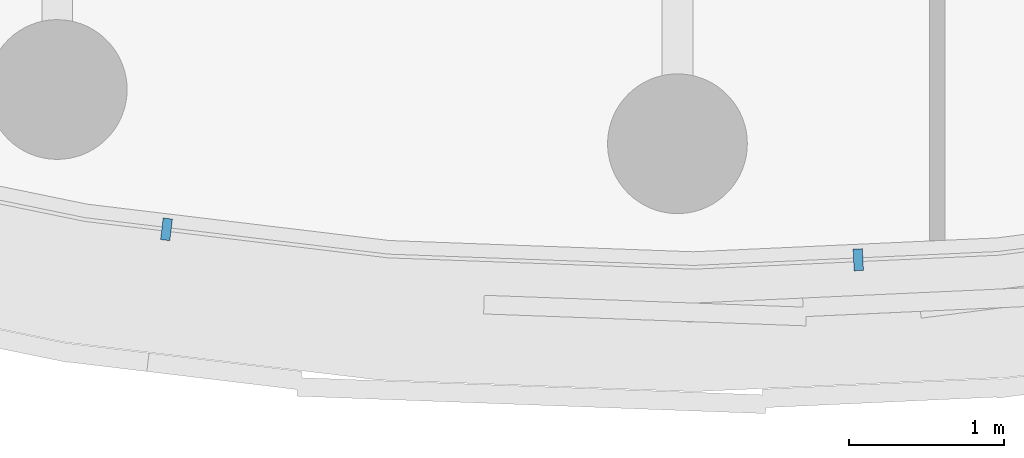
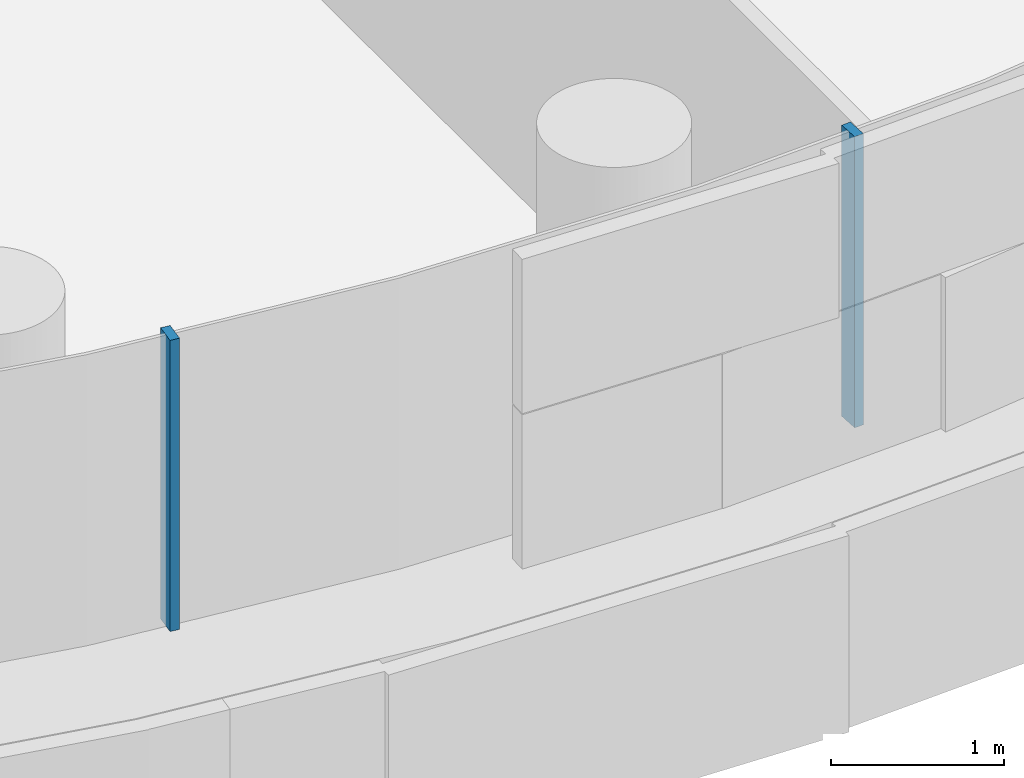
# One storey, part 5 of 27: 2 members, 1 element without a shape of its own.
"""IFC4 building model written with IfcOpenShell, lengths in metres."""

import ifcopenshell
import ifcopenshell.guid

model = None  # the IFC model being written
_history = None  # IfcOwnerHistory: only IFC2X3 demands one
_inside = {}  # id of a spatial element -> (the spatial element, [elements in it])
_under = {}  # id of a project, library or spatial element -> (it, [spatial elements below it])
_declared = {}  # id of a project -> (the project, [libraries it declares])
_typed = {}  # id of a type object -> (the type object, [elements of that type])
_made_of = {}  # id of a material, layer set ... -> (it, [elements and type objects made of it])


def new_model(schema):
    """Start an empty IFC model of exactly this schema.

    Asked for "IFC4X3", IfcOpenShell would pick the latest addendum, in which some entities
    have other attributes; the version numbers below select the first issue.
    IFC2X3 requires an IfcOwnerHistory on every rooted entity: one is made here for all.
    """
    global model, _history
    if schema == "IFC4X3":
        model = ifcopenshell.file(schema_version=(4, 3, 0, 0))
    else:
        model = ifcopenshell.file(schema=schema)
    _inside.clear()
    _under.clear()
    _declared.clear()
    _typed.clear()
    _made_of.clear()
    _history = None
    if model.schema == "IFC2X3":
        org = make("IfcOrganization", Name="unknown")
        user = make(
            "IfcPersonAndOrganization",
            ThePerson=make("IfcPerson", FamilyName="unknown"),
            TheOrganization=org,
        )
        app = make(
            "IfcApplication",
            ApplicationDeveloper=org,
            Version="unknown",
            ApplicationFullName="unknown",
            ApplicationIdentifier="unknown",
        )
        _history = make(
            "IfcOwnerHistory",
            OwningUser=user,
            OwningApplication=app,
            ChangeAction="ADDED",
            CreationDate=0,
        )
    return model


def make(cls, **values):
    """One entity of the class cls with the attributes given. An attribute that is None is left unset."""
    return model.create_entity(
        cls, **{name: value for name, value in values.items() if value is not None}
    )


def rooted(cls, **values):
    """An entity with a GlobalId (a new one), such as an element, a storey or a relation."""
    return make(cls, GlobalId=ifcopenshell.guid.new(), OwnerHistory=_history, **values)


def si_unit(unit_type, name, prefix=None):
    """IfcSIUnit, for example si_unit("LENGTHUNIT", "METRE", prefix="MILLI")."""
    return make("IfcSIUnit", UnitType=unit_type, Prefix=prefix, Name=name)


def assignment(units):
    """IfcUnitAssignment: the units of a project."""
    return None if units is None else make("IfcUnitAssignment", Units=units)


def point(xyz):
    """IfcCartesianPoint."""
    return None if xyz is None else make("IfcCartesianPoint", Coordinates=xyz)


def direction(xyz):
    """IfcDirection."""
    return None if xyz is None else make("IfcDirection", DirectionRatios=xyz)


def frame(location, z_axis=None, x_axis=None):
    """IfcAxis2Placement3D, a coordinate frame: its origin and axes. An axis left out is left unset."""
    return make(
        "IfcAxis2Placement3D",
        Location=point(location),
        Axis=direction(z_axis),
        RefDirection=direction(x_axis),
    )


def frame_2d(location, x_axis=None):
    """IfcAxis2Placement2D, a coordinate frame in the plane: its origin and x axis."""
    return make(
        "IfcAxis2Placement2D", Location=point(location), RefDirection=direction(x_axis)
    )


def origin():
    """The frame at (0, 0, 0) with its axes left unset."""
    return frame((0.0, 0.0, 0.0))


def origin_2d():
    """The frame at (0, 0) in the plane with its x axis left unset."""
    return frame_2d((0.0, 0.0))


def place(relative_to, where):
    """IfcLocalPlacement: puts the frame where relative to a parent placement (None: the world)."""
    return make(
        "IfcLocalPlacement", PlacementRelTo=relative_to, RelativePlacement=where
    )


def context(
    kind, dimensions, precision=None, world=None, true_north=None, identifier=None
):
    """IfcGeometricRepresentationContext, for example the 3D "Model" context."""
    return make(
        "IfcGeometricRepresentationContext",
        ContextIdentifier=identifier,
        ContextType=kind,
        CoordinateSpaceDimension=dimensions,
        Precision=precision,
        WorldCoordinateSystem=world,
        TrueNorth=true_north,
    )


def subcontext(parent, identifier, kind, view, scale=None):
    """IfcGeometricRepresentationSubContext, for example "Body" below "Model"."""
    return make(
        "IfcGeometricRepresentationSubContext",
        ContextIdentifier=identifier,
        ContextType=kind,
        ParentContext=parent,
        TargetScale=scale,
        TargetView=view,
    )


def project(units=None, contexts=None):
    """IfcProject with its units and contexts."""
    return rooted(
        "IfcProject",
        Name="project",
        RepresentationContexts=contexts,
        UnitsInContext=assignment(units),
    )


def spatial(cls, under=None, at=None, **own):
    """A site, building, storey or space (cls), placed at a placement, below another one or the project."""
    s = rooted(cls, ObjectPlacement=at, **own)
    if under is not None:
        _under.setdefault(under.id(), (under, []))[1].append(s)
    return s


def profile(cls, at=None, kind="AREA", **sizes):
    """A parametric profile (cls). Its sizes go by their IFC names, for example OverallWidth=200.0."""
    return make(cls, ProfileType=kind, Position=at, **sizes)


def rectangle(**sizes):
    """IfcRectangleProfileDef."""
    return profile("IfcRectangleProfileDef", **sizes)


def extrude(swept, where, along, depth):
    """IfcExtrudedAreaSolid: the profile swept, set in the frame where, extruded along a direction by depth."""
    return make(
        "IfcExtrudedAreaSolid",
        SweptArea=swept,
        Position=where,
        ExtrudedDirection=direction(along),
        Depth=depth,
    )


def shape(context_of_items, identifier, shape_type, items):
    """IfcShapeRepresentation: the items that make up one representation, for example the "Body"."""
    return make(
        "IfcShapeRepresentation",
        ContextOfItems=context_of_items,
        RepresentationIdentifier=identifier,
        RepresentationType=shape_type,
        Items=items,
    )


def material(Name=None, Category=None):
    """IfcMaterial."""
    return make("IfcMaterial", Name=Name, Category=Category)


def layer(
    of_material, thickness, ventilated=None, Name=None, Category=None, Priority=None
):
    """IfcMaterialLayer: one layer of a wall or slab, of a material (None: an air gap)."""
    return make(
        "IfcMaterialLayer",
        Material=of_material,
        LayerThickness=thickness,
        IsVentilated=ventilated,
        Name=Name,
        Category=Category,
        Priority=Priority,
    )


def layer_set(layers, Name=None):
    """IfcMaterialLayerSet."""
    return make("IfcMaterialLayerSet", MaterialLayers=layers, LayerSetName=Name)


def material_profile(
    of_material, cross_section, Name=None, Category=None, Priority=None
):
    """IfcMaterialProfile: a cross section and its material."""
    return make(
        "IfcMaterialProfile",
        Name=Name,
        Material=of_material,
        Profile=cross_section,
        Priority=Priority,
        Category=Category,
    )


def profile_set(profiles, Name=None, composite=None):
    """IfcMaterialProfileSet."""
    return make(
        "IfcMaterialProfileSet",
        Name=Name,
        MaterialProfiles=profiles,
        CompositeProfile=composite,
    )


def made_of(thing, what):
    """Note that an element or type object is made of a material, layer set ...; save() writes the relation."""
    if what is not None:
        _made_of.setdefault(what.id(), (what, []))[1].append(thing)
    return thing


def type_object(cls, material=None, **own):
    """A type object (cls), such as IfcWallType, which elements share."""
    return made_of(rooted(cls, **own), material)


def element(
    cls,
    number,
    at=None,
    inside=None,
    cuts=None,
    type_object=None,
    material=None,
    context=None,
    identifier="Body",
    shape_type=None,
    held_by="IfcProductDefinitionShape",
    body=None,
    shapes=None,
    **own,
):
    """One element of the class cls, such as IfcWall. Its Tag is "e" and its number.

    at: its placement. inside: the storey or other place that contains it. cuts: it is an
    opening in that element (IfcRelVoidsElement). A single representation is given by context,
    identifier, shape_type and body (its items); several are given by shapes. held_by: the class
    of the entity that holds the representations. save() writes the other relations.
    """
    e = rooted(cls, Tag="e%d" % number, ObjectPlacement=at, **own)
    if body is not None:
        shapes = [shape(context, identifier, shape_type, body)]
    if shapes is not None:
        e.Representation = make(held_by, Representations=shapes)
    if inside is not None:
        _inside.setdefault(inside.id(), (inside, []))[1].append(e)
    if cuts is not None:
        rooted(
            "IfcRelVoidsElement", RelatingBuildingElement=cuts, RelatedOpeningElement=e
        )
    if type_object is not None:
        _typed.setdefault(type_object.id(), (type_object, []))[1].append(e)
    return made_of(e, material)


def aggregate(whole, parts):
    """IfcRelAggregates: a whole, such as a stair, and the parts it consists of."""
    return rooted("IfcRelAggregates", RelatingObject=whole, RelatedObjects=parts)


def save(model, path):
    """Write the relations noted so far, then the file.

    IfcRelAggregates (storeys below a building ...), IfcRelContainedInSpatialStructure (elements
    in a storey), IfcRelDefinesByType, IfcRelAssociatesMaterial and IfcRelDeclares: one each for
    every whole, place, type object, material and project.
    """
    for whole, parts in _under.values():
        aggregate(whole, parts)
    for where, things in _inside.values():
        rooted(
            "IfcRelContainedInSpatialStructure",
            RelatedElements=things,
            RelatingStructure=where,
        )
    for kind, things in _typed.values():
        rooted("IfcRelDefinesByType", RelatedObjects=things, RelatingType=kind)
    for what, things in _made_of.values():
        rooted("IfcRelAssociatesMaterial", RelatedObjects=things, RelatingMaterial=what)
    for by, libraries in _declared.values():
        rooted("IfcRelDeclares", RelatingContext=by, RelatedDefinitions=libraries)
    model.write(path)


model = new_model("IFC4")

# Units and contexts
model_context = context("Model", 3, precision=1e-05, world=origin(), true_north=direction((0.0, 1.0)))
body_context = subcontext(model_context, "Body", "Model", "MODEL_VIEW")
ifc_project = project(units=[si_unit("LENGTHUNIT", "METRE"), si_unit("AREAUNIT", "SQUARE_METRE"), si_unit("VOLUMEUNIT", "CUBIC_METRE"), si_unit("PLANEANGLEUNIT", "RADIAN"), si_unit("MASSUNIT", "GRAM", prefix="KILO")], contexts=[model_context])

# Site, building, storey
site_placement = place(None, origin())
site = spatial("IfcSite", under=ifc_project, at=site_placement, CompositionType="ELEMENT")
building_placement = place(site_placement, origin())
building = spatial("IfcBuilding", under=site, at=building_placement, Name="Tamarind Cross Interchange Tower", CompositionType="ELEMENT")
storey_placement = place(building_placement, frame((0.0, 0.0, 237.89990234375)))
storey = spatial("IfcBuildingStorey", under=building, at=storey_placement, Name="L60", CompositionType="ELEMENT", Elevation=237.89990234375)

# Curtain wall, members
ifc_material = material(Name="Aluminium 6063-T6", Category="aluminium")
ifc_layer = layer(ifc_material, 0.139892578125)
ifc_layer_set = layer_set([ifc_layer], Name="Aluminium 6063-T6")
curtain_wall_type = type_object("IfcCurtainWallType", Name="Hotel curtain wall, 4.5 m bays", PredefinedType="NOTDEFINED", material=ifc_layer_set)
curtain_wall_placement = place(storey_placement, origin())
curtain_wall = element("IfcCurtainWall", 1, at=curtain_wall_placement, inside=storey, type_object=curtain_wall_type, Name="CWS-L60-02", PredefinedType="NOTDEFINED")
ifc_material_profile = material_profile(ifc_material, rectangle(XDim=0.06005859375, YDim=0.139892578125, at=origin_2d()), Name="Mullion CW2")
ifc_profile_set = profile_set([ifc_material_profile], Name="Aluminium 6063-T6")
member_type = type_object("IfcMemberType", Name="Mullion CW2", PredefinedType="MULLION", material=ifc_profile_set)
member_1_placement = place(storey_placement, frame((-3.290283203125, -23.551025390625, 1.400146484375), z_axis=(0.0, 0.0, 1.0), x_axis=(0.992843710523, -0.119420963295, 0.0)))
member_1 = element("IfcMember", 2, at=member_1_placement, type_object=member_type, Name="CWM-L60-02-05", PredefinedType="MULLION", context=body_context, shape_type="SweptSolid", body=[
    extrude(rectangle(XDim=0.06005859375, YDim=0.139892578125, at=origin_2d()), origin(), (0.0, 0.0, 1.0), 2.06005859375),
])
member_2_placement = place(storey_placement, frame((1.164306640625, -23.7470703125, 1.400146484375), z_axis=(0.0, 0.0, 1.0), x_axis=(0.998958660912, 0.045624486728, 0.0)))
member_2 = element("IfcMember", 3, at=member_2_placement, type_object=member_type, Name="CWM-L60-02-06", PredefinedType="MULLION", context=body_context, shape_type="SweptSolid", body=[
    extrude(rectangle(XDim=0.06005859375, YDim=0.139892578125, at=origin_2d()), origin(), (0.0, 0.0, 1.0), 2.06005859375),
])
aggregate(curtain_wall, [member_1, member_2])

save(model, "model.ifc")
